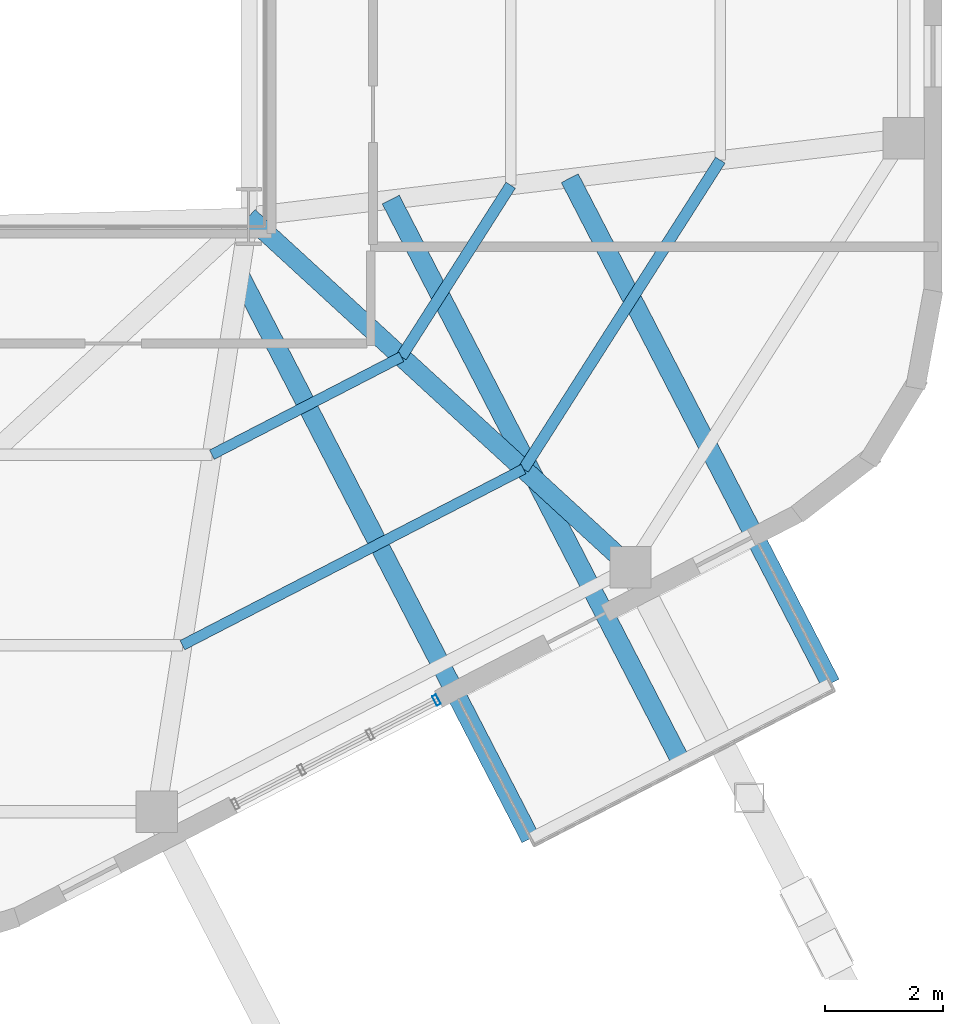
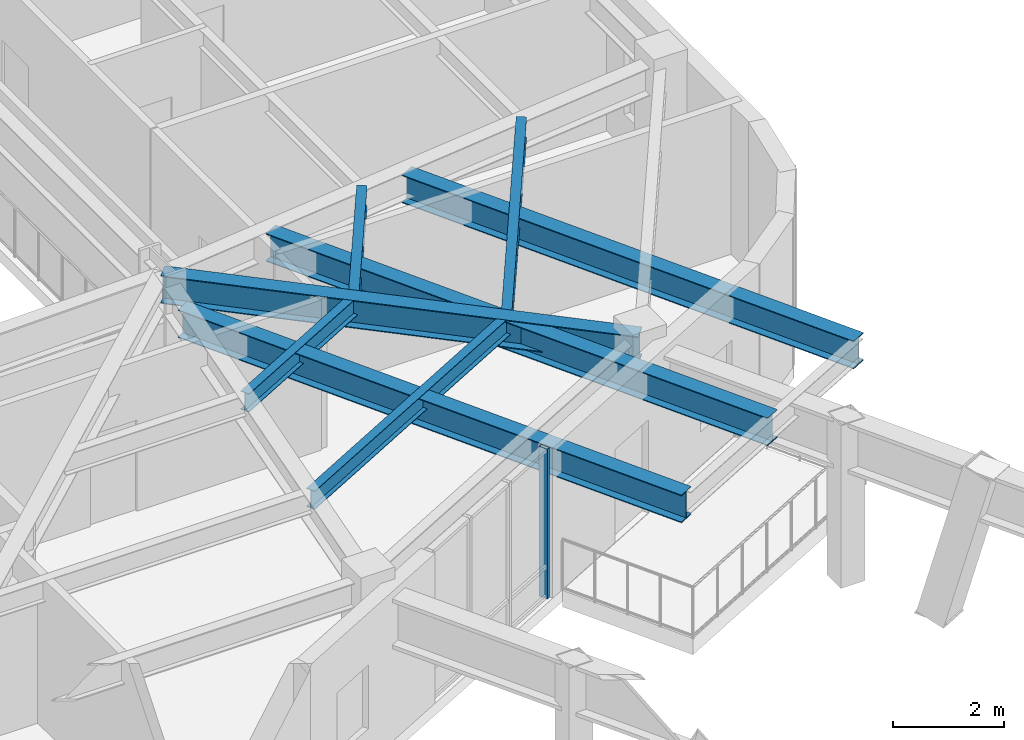
# One storey, part 4 of 10: 8 beams, 1 member, 1 element without a shape of its own.
"""IFC4 building model written with IfcOpenShell, lengths in metres."""

from ifc_helpers import new_model, si_unit, direction, frame, origin, origin_2d, place, context, subcontext, project, spatial, hollow_rectangle, i_section, extrude, material, layer, layer_set, material_profile, profile_set, type_object, element, aggregate, save


model = new_model("IFC4")

# Units and contexts
model_context = context("Model", 3, precision=1e-05, world=origin(), true_north=direction((0.0, 1.0)))
body_context = subcontext(model_context, "Body", "Model", "MODEL_VIEW")
ifc_project = project(units=[si_unit("LENGTHUNIT", "METRE"), si_unit("AREAUNIT", "SQUARE_METRE"), si_unit("VOLUMEUNIT", "CUBIC_METRE"), si_unit("PLANEANGLEUNIT", "RADIAN"), si_unit("MASSUNIT", "GRAM", prefix="KILO"), si_unit("THERMODYNAMICTEMPERATUREUNIT", "KELVIN"), si_unit("POWERUNIT", "WATT")], contexts=[model_context])

# Site, building, storey
site_placement = place(None, origin())
site = spatial("IfcSite", under=ifc_project, at=site_placement, CompositionType="ELEMENT")
building_placement = place(site_placement, origin())
building = spatial("IfcBuilding", under=site, at=building_placement, Name="Skarre Station Tower", CompositionType="ELEMENT")
storey_placement = place(building_placement, frame((0.0, 0.0, 224.14990234375)))
storey = spatial("IfcBuildingStorey", under=building, at=storey_placement, Name="L61", CompositionType="ELEMENT", Elevation=224.14990234375)

# Curtain wall, member
ifc_material_1 = material(Name="Thermally Broken Bronze-Anodized Aluminium & Triple Low-E Glass", Category="aluminium")
ifc_layer = layer(ifc_material_1, 0.18994140625, Name="Thermally Broken Bronze-Anodized Aluminium & Triple Low-E Glass")
ifc_layer_set = layer_set([ifc_layer], Name="Thermally Broken Bronze-Anodized Aluminium & Triple Low-E Glass")
curtain_wall_type = type_object("IfcCurtainWallType", Name="Sky-Garden Setback Conservatory Curtain Wall", PredefinedType="NOTDEFINED", material=ifc_layer_set)
curtain_wall_placement = place(storey_placement, origin())
curtain_wall = element("IfcCurtainWall", 1, at=curtain_wall_placement, inside=storey, type_object=curtain_wall_type, Name="L61 Facet 4 Conservatory Curtain Wall", PredefinedType="NOTDEFINED")
ifc_material_2 = material(Name="Anodized Aluminium 6063-T6", Category="aluminium")
ifc_material_profile_1 = material_profile(ifc_material_2, hollow_rectangle(XDim=0.074951171875, YDim=0.179931640625, WallThickness=0.00390625, at=origin_2d()), Name="Anodized Aluminium 6063-T6")
ifc_profile_set_1 = profile_set([ifc_material_profile_1], Name="Anodized Aluminium 6063-T6")
member_type = type_object("IfcMemberType", Name="Curtain-Wall Unitised Tower Mullion 180x75", PredefinedType="MULLION", material=ifc_profile_set_1)
member_placement = place(storey_placement, frame((42.635009765625, 10.447021484375, 0.0), z_axis=(0.0, 0.0, 1.0), x_axis=(-0.88848110948, -0.458913192332, 0.0)))
member = element("IfcMember", 2, at=member_placement, type_object=member_type, Name="L61 Facet 4 Conservatory Curtain Wall Mullion 1", PredefinedType="MULLION", context=body_context, shape_type="SweptSolid", body=[
    extrude(hollow_rectangle(XDim=0.074951171875, YDim=0.179931640625, WallThickness=0.00390625, at=origin_2d()), origin(), (0.0, 0.0, 1.0), 3.2900390625),
])
aggregate(curtain_wall, [member])

# Beams
ifc_material_3 = material(Name="Steel ASTM A992 Grade 50", Category="steel")
ifc_material_profile_2 = material_profile(ifc_material_3, i_section(OverallWidth=0.323974609375, OverallDepth=0.611083984375, WebThickness=0.012939453125, FlangeThickness=0.01904296875, at=origin_2d()), Name="Steel ASTM A992 Grade 50")
ifc_profile_set_2 = profile_set([ifc_material_profile_2], Name="Steel ASTM A992 Grade 50")
beam_type_1 = type_object("IfcBeamType", Name="Steel Beam W24X104", PredefinedType="BEAM", material=ifc_profile_set_2)
beam_1_placement = place(storey_placement, frame((39.449951171875, 18.64990234375, 2.985107421875), z_axis=(0.736547671183, -0.676385635621, 0.0), x_axis=(0.676385635621, 0.736547671183, 0.0)))
element("IfcBeam", 3, at=beam_1_placement, inside=storey, type_object=beam_type_1, Name="L61 Radial Floor Girder F4C2", PredefinedType="BEAM", context=body_context, shape_type="SweptSolid", body=[
    extrude(i_section(OverallWidth=0.323974609375, OverallDepth=0.611083984375, WebThickness=0.012939453125, FlangeThickness=0.01904296875, at=origin_2d()), origin(), (0.0, 0.0, 1.0), 8.793701171875),
])
beam_2_placement = place(storey_placement, frame((41.860107421875, 18.93798828125, 2.880126953125), z_axis=(0.458784496655, -0.888547570831, 0.0), x_axis=(0.888547570831, 0.458784496655, 0.0)))
element("IfcBeam", 4, at=beam_2_placement, inside=storey, type_object=beam_type_1, Name="L61 SG-3-L62 Center Outrigger Beam", PredefinedType="BEAM", context=body_context, shape_type="SweptSolid", body=[
    extrude(i_section(OverallWidth=0.323974609375, OverallDepth=0.611083984375, WebThickness=0.012939453125, FlangeThickness=0.01904296875, at=origin_2d()), origin(), (0.0, 0.0, 1.0), 10.717529296875),
])
beam_3_placement = place(storey_placement, frame((44.89599609375, 19.301025390625, 2.880126953125), z_axis=(0.458786665445, -0.888546451014, 0.0), x_axis=(0.888546451014, 0.458786665445, 0.0)))
element("IfcBeam", 5, at=beam_3_placement, inside=storey, type_object=beam_type_1, Name="L61 SG-3-L62 Outrigger Beam 1", PredefinedType="BEAM", context=body_context, shape_type="SweptSolid", body=[
    extrude(i_section(OverallWidth=0.323974609375, OverallDepth=0.611083984375, WebThickness=0.012939453125, FlangeThickness=0.01904296875, at=origin_2d()), origin(), (0.0, 0.0, 1.0), 9.647216796875),
])
beam_4_placement = place(storey_placement, frame((39.297119140625, 17.658935546875, 2.880126953125), z_axis=(0.45869784472, -0.888592306544, 0.0), x_axis=(0.888592306544, 0.45869784472, 0.0)))
element("IfcBeam", 6, at=beam_4_placement, inside=storey, type_object=beam_type_1, Name="L61 SG-3-L62 Outrigger Beam 2", PredefinedType="BEAM", context=body_context, shape_type="SweptSolid", body=[
    extrude(i_section(OverallWidth=0.323974609375, OverallDepth=0.611083984375, WebThickness=0.012939453125, FlangeThickness=0.01904296875, at=origin_2d()), origin(), (0.0, 0.0, 1.0), 10.756103515625),
])
ifc_material_profile_3 = material_profile(ifc_material_3, i_section(OverallWidth=0.177978515625, OverallDepth=0.403076171875, WebThickness=0.008056640625, FlangeThickness=0.010986328125, at=origin_2d()), Name="Steel ASTM A992 Grade 50")
ifc_profile_set_3 = profile_set([ifc_material_profile_3], Name="Steel ASTM A992 Grade 50")
beam_type_2 = type_object("IfcBeamType", Name="Steel Joist W16X36", PredefinedType="JOIST", material=ifc_profile_set_3)
beam_5_placement = place(storey_placement, frame((38.825927734375, 14.611083984375, 3.088134765625), z_axis=(0.888562989562, 0.458754633308, 0.0), x_axis=(-0.458754633308, 0.888562989562, 0.0)))
element("IfcBeam", 7, at=beam_5_placement, inside=storey, type_object=beam_type_2, Name="L61 Auxiliary Composite Joist 11", PredefinedType="JOIST", context=body_context, shape_type="SweptSolid", body=[
    extrude(i_section(OverallWidth=0.177978515625, OverallDepth=0.403076171875, WebThickness=0.008056640625, FlangeThickness=0.010986328125, at=origin_2d()), origin(), (0.0, 0.0, 1.0), 3.618408203125),
])
beam_6_placement = place(storey_placement, frame((38.325927734375, 11.3798828125, 3.088134765625), z_axis=(0.888610306875, 0.458662972689, 0.0), x_axis=(-0.458662972689, 0.888610306875, 0.0)))
element("IfcBeam", 8, at=beam_6_placement, inside=storey, type_object=beam_type_2, Name="L61 Auxiliary Composite Joist 12", PredefinedType="JOIST", context=body_context, shape_type="SweptSolid", body=[
    extrude(i_section(OverallWidth=0.177978515625, OverallDepth=0.403076171875, WebThickness=0.008056640625, FlangeThickness=0.010986328125, at=origin_2d()), origin(), (0.0, 0.0, 1.0), 6.512451171875),
])
ifc_material_profile_4 = material_profile(ifc_material_3, i_section(OverallWidth=0.19091796875, OverallDepth=0.45703125, WebThickness=0.009033203125, FlangeThickness=0.013916015625, at=origin_2d()), Name="Steel ASTM A992 Grade 50")
ifc_profile_set_4 = profile_set([ifc_material_profile_4], Name="Steel ASTM A992 Grade 50")
beam_type_3 = type_object("IfcBeamType", Name="Steel Joist W18X50", PredefinedType="JOIST", material=ifc_profile_set_4)
beam_7_placement = place(storey_placement, frame((42.041015625, 16.27099609375, 3.06201171875), z_axis=(0.537209598798, 0.843448781468, 0.0), x_axis=(-0.843448781468, 0.537209598798, 0.0)))
element("IfcBeam", 9, at=beam_7_placement, inside=storey, type_object=beam_type_3, Name="L61 Auxiliary Composite Joist 13", PredefinedType="JOIST", context=body_context, shape_type="SweptSolid", body=[
    extrude(i_section(OverallWidth=0.19091796875, OverallDepth=0.45703125, WebThickness=0.009033203125, FlangeThickness=0.013916015625, at=origin_2d()), origin(), (0.0, 0.0, 1.0), 3.451171875),
])
beam_8_placement = place(storey_placement, frame((44.113037109375, 14.366943359375, 3.06201171875), z_axis=(0.537259384828, 0.843417069672, 0.0), x_axis=(-0.843417069672, 0.537259384828, 0.0)))
element("IfcBeam", 10, at=beam_8_placement, inside=storey, type_object=beam_type_3, Name="L61 Auxiliary Composite Joist 14", PredefinedType="JOIST", context=body_context, shape_type="SweptSolid", body=[
    extrude(i_section(OverallWidth=0.19091796875, OverallDepth=0.45703125, WebThickness=0.009033203125, FlangeThickness=0.013916015625, at=origin_2d()), origin(), (0.0, 0.0, 1.0), 6.212890625),
])

save(model, "model.ifc")
